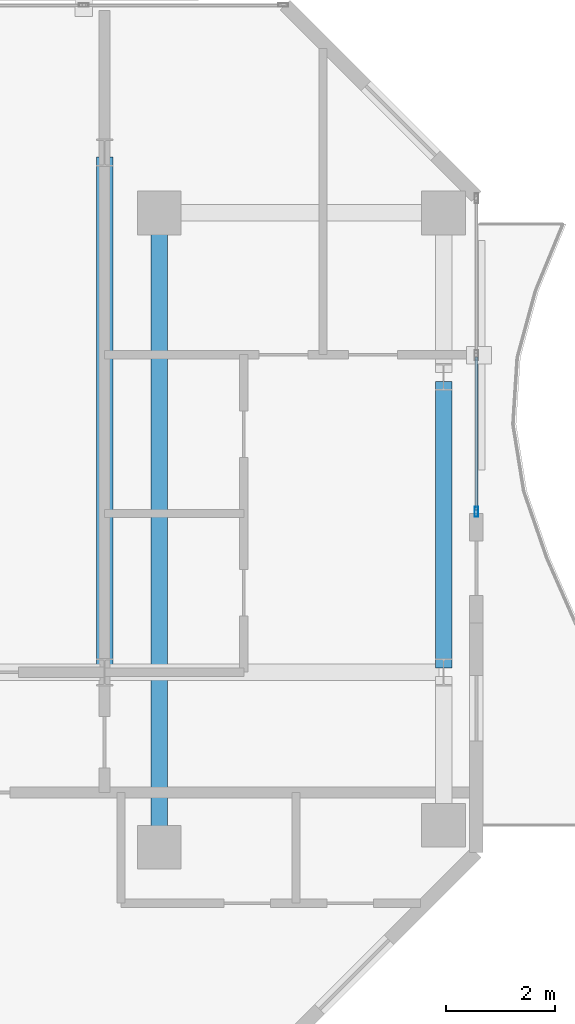
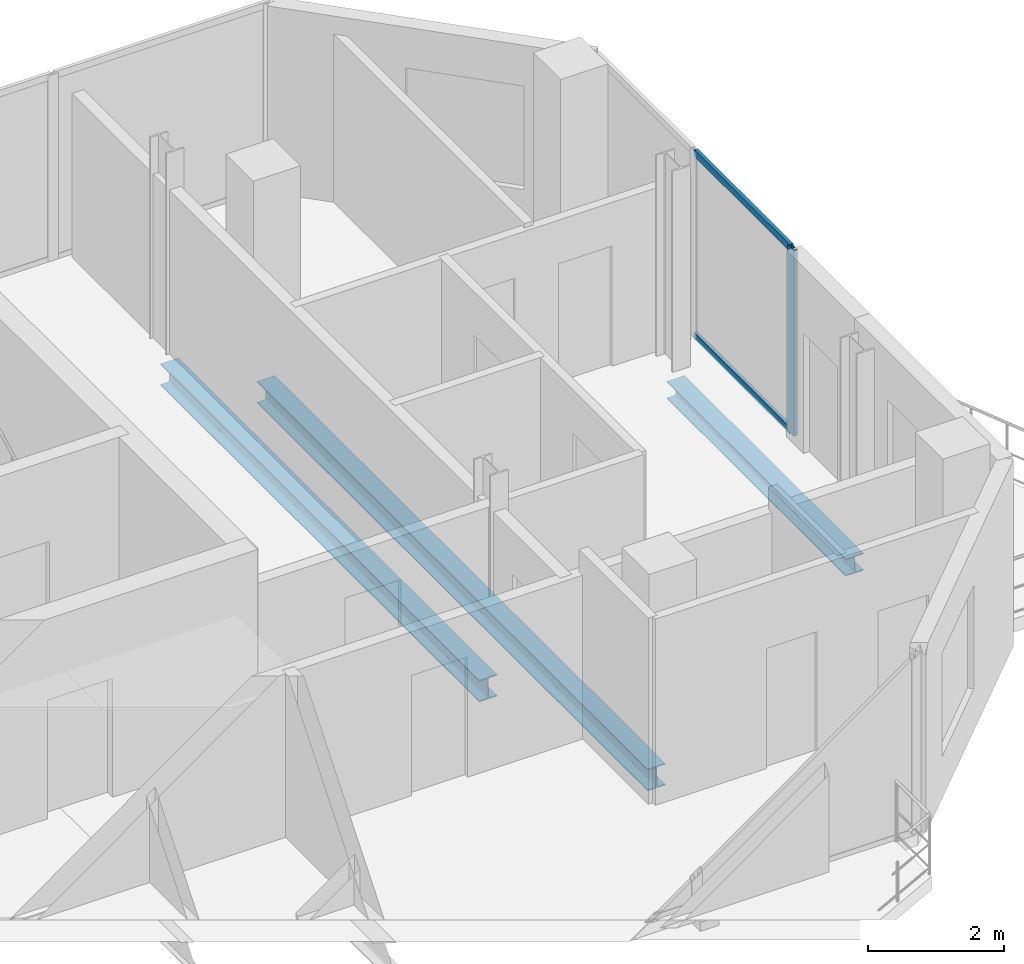
# One storey, part 14 of 24: 3 beams, 3 members, 1 element without a shape of its own.
"""IFC4 building model written with IfcOpenShell, lengths in metres."""

import ifcopenshell
import ifcopenshell.guid

model = None  # the IFC model being written
_history = None  # IfcOwnerHistory: only IFC2X3 demands one
_inside = {}  # id of a spatial element -> (the spatial element, [elements in it])
_under = {}  # id of a project, library or spatial element -> (it, [spatial elements below it])
_declared = {}  # id of a project -> (the project, [libraries it declares])
_typed = {}  # id of a type object -> (the type object, [elements of that type])
_made_of = {}  # id of a material, layer set ... -> (it, [elements and type objects made of it])


def new_model(schema):
    """Start an empty IFC model of exactly this schema.

    Asked for "IFC4X3", IfcOpenShell would pick the latest addendum, in which some entities
    have other attributes; the version numbers below select the first issue.
    IFC2X3 requires an IfcOwnerHistory on every rooted entity: one is made here for all.
    """
    global model, _history
    if schema == "IFC4X3":
        model = ifcopenshell.file(schema_version=(4, 3, 0, 0))
    else:
        model = ifcopenshell.file(schema=schema)
    _inside.clear()
    _under.clear()
    _declared.clear()
    _typed.clear()
    _made_of.clear()
    _history = None
    if model.schema == "IFC2X3":
        org = make("IfcOrganization", Name="unknown")
        user = make(
            "IfcPersonAndOrganization",
            ThePerson=make("IfcPerson", FamilyName="unknown"),
            TheOrganization=org,
        )
        app = make(
            "IfcApplication",
            ApplicationDeveloper=org,
            Version="unknown",
            ApplicationFullName="unknown",
            ApplicationIdentifier="unknown",
        )
        _history = make(
            "IfcOwnerHistory",
            OwningUser=user,
            OwningApplication=app,
            ChangeAction="ADDED",
            CreationDate=0,
        )
    return model


def make(cls, **values):
    """One entity of the class cls with the attributes given. An attribute that is None is left unset."""
    return model.create_entity(
        cls, **{name: value for name, value in values.items() if value is not None}
    )


def rooted(cls, **values):
    """An entity with a GlobalId (a new one), such as an element, a storey or a relation."""
    return make(cls, GlobalId=ifcopenshell.guid.new(), OwnerHistory=_history, **values)


def si_unit(unit_type, name, prefix=None):
    """IfcSIUnit, for example si_unit("LENGTHUNIT", "METRE", prefix="MILLI")."""
    return make("IfcSIUnit", UnitType=unit_type, Prefix=prefix, Name=name)


def assignment(units):
    """IfcUnitAssignment: the units of a project."""
    return None if units is None else make("IfcUnitAssignment", Units=units)


def point(xyz):
    """IfcCartesianPoint."""
    return None if xyz is None else make("IfcCartesianPoint", Coordinates=xyz)


def direction(xyz):
    """IfcDirection."""
    return None if xyz is None else make("IfcDirection", DirectionRatios=xyz)


def frame(location, z_axis=None, x_axis=None):
    """IfcAxis2Placement3D, a coordinate frame: its origin and axes. An axis left out is left unset."""
    return make(
        "IfcAxis2Placement3D",
        Location=point(location),
        Axis=direction(z_axis),
        RefDirection=direction(x_axis),
    )


def frame_2d(location, x_axis=None):
    """IfcAxis2Placement2D, a coordinate frame in the plane: its origin and x axis."""
    return make(
        "IfcAxis2Placement2D", Location=point(location), RefDirection=direction(x_axis)
    )


def origin():
    """The frame at (0, 0, 0) with its axes left unset."""
    return frame((0.0, 0.0, 0.0))


def origin_2d():
    """The frame at (0, 0) in the plane with its x axis left unset."""
    return frame_2d((0.0, 0.0))


def place(relative_to, where):
    """IfcLocalPlacement: puts the frame where relative to a parent placement (None: the world)."""
    return make(
        "IfcLocalPlacement", PlacementRelTo=relative_to, RelativePlacement=where
    )


def context(
    kind, dimensions, precision=None, world=None, true_north=None, identifier=None
):
    """IfcGeometricRepresentationContext, for example the 3D "Model" context."""
    return make(
        "IfcGeometricRepresentationContext",
        ContextIdentifier=identifier,
        ContextType=kind,
        CoordinateSpaceDimension=dimensions,
        Precision=precision,
        WorldCoordinateSystem=world,
        TrueNorth=true_north,
    )


def subcontext(parent, identifier, kind, view, scale=None):
    """IfcGeometricRepresentationSubContext, for example "Body" below "Model"."""
    return make(
        "IfcGeometricRepresentationSubContext",
        ContextIdentifier=identifier,
        ContextType=kind,
        ParentContext=parent,
        TargetScale=scale,
        TargetView=view,
    )


def project(units=None, contexts=None):
    """IfcProject with its units and contexts."""
    return rooted(
        "IfcProject",
        Name="project",
        RepresentationContexts=contexts,
        UnitsInContext=assignment(units),
    )


def spatial(cls, under=None, at=None, **own):
    """A site, building, storey or space (cls), placed at a placement, below another one or the project."""
    s = rooted(cls, ObjectPlacement=at, **own)
    if under is not None:
        _under.setdefault(under.id(), (under, []))[1].append(s)
    return s


def profile(cls, at=None, kind="AREA", **sizes):
    """A parametric profile (cls). Its sizes go by their IFC names, for example OverallWidth=200.0."""
    return make(cls, ProfileType=kind, Position=at, **sizes)


def hollow_rectangle(**sizes):
    """IfcRectangleHollowProfileDef."""
    return profile("IfcRectangleHollowProfileDef", **sizes)


def i_section(**sizes):
    """IfcIShapeProfileDef."""
    return profile("IfcIShapeProfileDef", **sizes)


def extrude(swept, where, along, depth):
    """IfcExtrudedAreaSolid: the profile swept, set in the frame where, extruded along a direction by depth."""
    return make(
        "IfcExtrudedAreaSolid",
        SweptArea=swept,
        Position=where,
        ExtrudedDirection=direction(along),
        Depth=depth,
    )


def shape(context_of_items, identifier, shape_type, items):
    """IfcShapeRepresentation: the items that make up one representation, for example the "Body"."""
    return make(
        "IfcShapeRepresentation",
        ContextOfItems=context_of_items,
        RepresentationIdentifier=identifier,
        RepresentationType=shape_type,
        Items=items,
    )


def material(Name=None, Category=None):
    """IfcMaterial."""
    return make("IfcMaterial", Name=Name, Category=Category)


def layer(
    of_material, thickness, ventilated=None, Name=None, Category=None, Priority=None
):
    """IfcMaterialLayer: one layer of a wall or slab, of a material (None: an air gap)."""
    return make(
        "IfcMaterialLayer",
        Material=of_material,
        LayerThickness=thickness,
        IsVentilated=ventilated,
        Name=Name,
        Category=Category,
        Priority=Priority,
    )


def layer_set(layers, Name=None):
    """IfcMaterialLayerSet."""
    return make("IfcMaterialLayerSet", MaterialLayers=layers, LayerSetName=Name)


def material_profile(
    of_material, cross_section, Name=None, Category=None, Priority=None
):
    """IfcMaterialProfile: a cross section and its material."""
    return make(
        "IfcMaterialProfile",
        Name=Name,
        Material=of_material,
        Profile=cross_section,
        Priority=Priority,
        Category=Category,
    )


def profile_set(profiles, Name=None, composite=None):
    """IfcMaterialProfileSet."""
    return make(
        "IfcMaterialProfileSet",
        Name=Name,
        MaterialProfiles=profiles,
        CompositeProfile=composite,
    )


def made_of(thing, what):
    """Note that an element or type object is made of a material, layer set ...; save() writes the relation."""
    if what is not None:
        _made_of.setdefault(what.id(), (what, []))[1].append(thing)
    return thing


def type_object(cls, material=None, **own):
    """A type object (cls), such as IfcWallType, which elements share."""
    return made_of(rooted(cls, **own), material)


def element(
    cls,
    number,
    at=None,
    inside=None,
    cuts=None,
    type_object=None,
    material=None,
    context=None,
    identifier="Body",
    shape_type=None,
    held_by="IfcProductDefinitionShape",
    body=None,
    shapes=None,
    **own,
):
    """One element of the class cls, such as IfcWall. Its Tag is "e" and its number.

    at: its placement. inside: the storey or other place that contains it. cuts: it is an
    opening in that element (IfcRelVoidsElement). A single representation is given by context,
    identifier, shape_type and body (its items); several are given by shapes. held_by: the class
    of the entity that holds the representations. save() writes the other relations.
    """
    e = rooted(cls, Tag="e%d" % number, ObjectPlacement=at, **own)
    if body is not None:
        shapes = [shape(context, identifier, shape_type, body)]
    if shapes is not None:
        e.Representation = make(held_by, Representations=shapes)
    if inside is not None:
        _inside.setdefault(inside.id(), (inside, []))[1].append(e)
    if cuts is not None:
        rooted(
            "IfcRelVoidsElement", RelatingBuildingElement=cuts, RelatedOpeningElement=e
        )
    if type_object is not None:
        _typed.setdefault(type_object.id(), (type_object, []))[1].append(e)
    return made_of(e, material)


def aggregate(whole, parts):
    """IfcRelAggregates: a whole, such as a stair, and the parts it consists of."""
    return rooted("IfcRelAggregates", RelatingObject=whole, RelatedObjects=parts)


def save(model, path):
    """Write the relations noted so far, then the file.

    IfcRelAggregates (storeys below a building ...), IfcRelContainedInSpatialStructure (elements
    in a storey), IfcRelDefinesByType, IfcRelAssociatesMaterial and IfcRelDeclares: one each for
    every whole, place, type object, material and project.
    """
    for whole, parts in _under.values():
        aggregate(whole, parts)
    for where, things in _inside.values():
        rooted(
            "IfcRelContainedInSpatialStructure",
            RelatedElements=things,
            RelatingStructure=where,
        )
    for kind, things in _typed.values():
        rooted("IfcRelDefinesByType", RelatedObjects=things, RelatingType=kind)
    for what, things in _made_of.values():
        rooted("IfcRelAssociatesMaterial", RelatedObjects=things, RelatingMaterial=what)
    for by, libraries in _declared.values():
        rooted("IfcRelDeclares", RelatingContext=by, RelatedDefinitions=libraries)
    model.write(path)


model = new_model("IFC4")

# Units and contexts
model_context = context("Model", 3, precision=1e-05, world=origin(), true_north=direction((0.0, 1.0)))
body_context = subcontext(model_context, "Body", "Model", "MODEL_VIEW")
ifc_project = project(units=[si_unit("LENGTHUNIT", "METRE"), si_unit("AREAUNIT", "SQUARE_METRE"), si_unit("VOLUMEUNIT", "CUBIC_METRE"), si_unit("PLANEANGLEUNIT", "RADIAN"), si_unit("MASSUNIT", "GRAM", prefix="KILO")], contexts=[model_context])

# Site, building, storey
site_placement = place(None, origin())
site = spatial("IfcSite", under=ifc_project, at=site_placement, CompositionType="ELEMENT")
building_placement = place(site_placement, origin())
building = spatial("IfcBuilding", under=site, at=building_placement, Name="Catumbela Crestline Tower", CompositionType="ELEMENT")
storey_placement = place(building_placement, frame((0.0, 0.0, 157.8)))
storey = spatial("IfcBuildingStorey", under=building, at=storey_placement, Name="L40", CompositionType="ELEMENT", Elevation=157.8)

# Beams
ifc_material_1 = material(Name="Structural steel S355J2", Category="steel")
ifc_material_profile_1 = material_profile(ifc_material_1, i_section(OverallWidth=0.3, OverallDepth=0.39, WebThickness=0.011, FlangeThickness=0.019, FilletRadius=0.027, at=origin_2d()), Name="HEA 400")
ifc_profile_set_1 = profile_set([ifc_material_profile_1], Name="Structural steel S355J2")
beam_type_1 = type_object("IfcBeamType", Name="BG-HEA400", PredefinedType="BEAM", material=ifc_profile_set_1)
beam_1_placement = place(storey_placement, frame((44.2, 30.88, -0.455), z_axis=(0.0, 1.0, 0.0), x_axis=(-1.0, 0.0, 0.0)))
element("IfcBeam", 1, at=beam_1_placement, inside=storey, type_object=beam_type_1, Name="L40 Beam BM-L40-SN21", PredefinedType="BEAM", context=body_context, shape_type="SweptSolid", body=[
    extrude(i_section(OverallWidth=0.3, OverallDepth=0.39, WebThickness=0.011, FlangeThickness=0.019, FilletRadius=0.027, at=origin_2d()), origin(), (0.0, 0.0, 1.0), 9.34),
])
beam_2_placement = place(storey_placement, frame((45.2, 27.68, -0.455), z_axis=(0.0, 1.0, 0.0), x_axis=(-1.0, 0.0, 0.0)))
element("IfcBeam", 2, at=beam_2_placement, inside=storey, type_object=beam_type_1, Name="L40 Beam BM-L40-SN22", PredefinedType="BEAM", context=body_context, shape_type="SweptSolid", body=[
    extrude(i_section(OverallWidth=0.3, OverallDepth=0.39, WebThickness=0.011, FlangeThickness=0.019, FilletRadius=0.027, at=origin_2d()), origin(), (0.0, 0.0, 1.0), 11.44),
])

# Curtain wall, member
ifc_material_2 = material(Name="Aluminium alloy AW-6060-T66", Category="aluminium")
ifc_layer = layer(ifc_material_2, 0.18, Name="Aluminium alloy AW-6060-T66")
ifc_layer_set = layer_set([ifc_layer], Name="Aluminium alloy AW-6060-T66")
curtain_wall_type = type_object("IfcCurtainWallType", Name="CWU-Z3", PredefinedType="USERDEFINED", material=ifc_layer_set)
curtain_wall_placement = place(storey_placement, origin())
curtain_wall = element("IfcCurtainWall", 3, at=curtain_wall_placement, inside=storey, type_object=curtain_wall_type, Name="L40 Unitised Curtain Wall CW-L40-E5S2", ObjectType="UNITISED", PredefinedType="USERDEFINED")
ifc_material_profile_2 = material_profile(ifc_material_2, hollow_rectangle(XDim=0.065, YDim=0.18, WallThickness=0.004, at=origin_2d()), Name="ALU 180x65x4")
ifc_profile_set_2 = profile_set([ifc_material_profile_2], Name="Aluminium alloy AW-6060-T66")
member_type_1 = type_object("IfcMemberType", Name="MUL-180X65", PredefinedType="MULLION", material=ifc_profile_set_2)
member_1_placement = place(storey_placement, frame((51.0, 33.7325, 0.0), z_axis=(0.0, 0.0, 1.0), x_axis=(-1.0, 0.0, 0.0)))
member_1 = element("IfcMember", 4, at=member_1_placement, type_object=member_type_1, Name="CWU-Z3 mullion 1", PredefinedType="MULLION", context=body_context, shape_type="SweptSolid", body=[
    extrude(hollow_rectangle(XDim=0.065, YDim=0.18, WallThickness=0.004, at=origin_2d()), origin(), (0.0, 0.0, 1.0), 3.33),
])

# Beam
ifc_material_profile_3 = material_profile(ifc_material_1, i_section(OverallWidth=0.3, OverallDepth=0.31, WebThickness=0.009, FlangeThickness=0.0155, FilletRadius=0.027, at=origin_2d()), Name="HEA 320")
ifc_profile_set_3 = profile_set([ifc_material_profile_3], Name="Structural steel S355J2")
beam_type_2 = type_object("IfcBeamType", Name="BS-HEA320", PredefinedType="SPANDREL", material=ifc_profile_set_3)
beam_3_placement = place(storey_placement, frame((50.4, 30.88, -0.415), z_axis=(0.0, 1.0, 0.0), x_axis=(-1.0, 0.0, 0.0)))
element("IfcBeam", 5, at=beam_3_placement, inside=storey, type_object=beam_type_2, Name="L40 Spandrel SP-L40-SN24", PredefinedType="SPANDREL", context=body_context, shape_type="SweptSolid", body=[
    extrude(i_section(OverallWidth=0.3, OverallDepth=0.31, WebThickness=0.009, FlangeThickness=0.0155, FilletRadius=0.027, at=origin_2d()), origin(), (0.0, 0.0, 1.0), 5.24),
])

# Member
ifc_material_profile_4 = material_profile(ifc_material_2, hollow_rectangle(XDim=0.06, YDim=0.12, WallThickness=0.0035, at=origin_2d()), Name="ALU 120x60x3.5")
ifc_profile_set_4 = profile_set([ifc_material_profile_4], Name="Aluminium alloy AW-6060-T66")
member_type_2 = type_object("IfcMemberType", Name="TRN-120X60", PredefinedType="USERDEFINED", material=ifc_profile_set_4)
member_2_placement = place(storey_placement, frame((51.0, 33.765, 0.03), z_axis=(0.0, 1.0, 0.0), x_axis=(-1.0, 0.0, 0.0)))
member_2 = element("IfcMember", 6, at=member_2_placement, type_object=member_type_2, Name="CWU-Z3 transom 1.1", ObjectType="TRANSOM", PredefinedType="USERDEFINED", context=body_context, shape_type="SweptSolid", body=[
    extrude(hollow_rectangle(XDim=0.06, YDim=0.12, WallThickness=0.0035, at=origin_2d()), origin(), (0.0, 0.0, 1.0), 2.8025),
])

member_3_placement = place(storey_placement, frame((51.0, 33.765, 3.3), z_axis=(0.0, 1.0, 0.0), x_axis=(-1.0, 0.0, 0.0)))
member_3 = element("IfcMember", 7, at=member_3_placement, type_object=member_type_2, Name="CWU-Z3 transom 1.2", ObjectType="TRANSOM", PredefinedType="USERDEFINED", context=body_context, shape_type="SweptSolid", body=[
    extrude(hollow_rectangle(XDim=0.06, YDim=0.12, WallThickness=0.0035, at=origin_2d()), origin(), (0.0, 0.0, 1.0), 2.8025),
])

aggregate(curtain_wall, [member_1, member_2, member_3])

save(model, "model.ifc")
